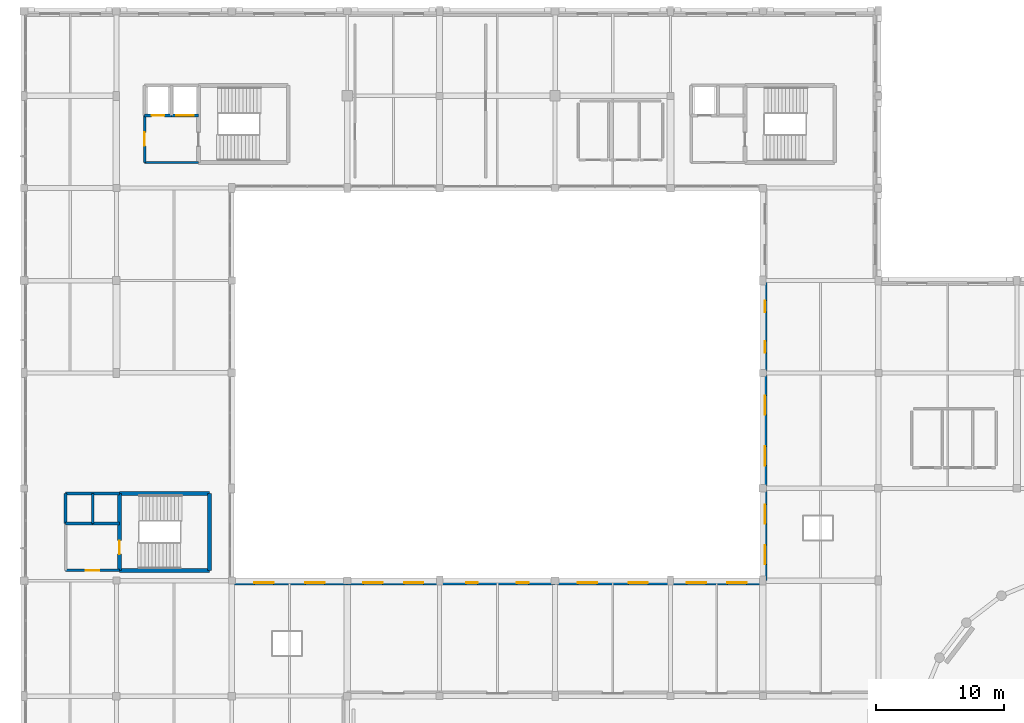
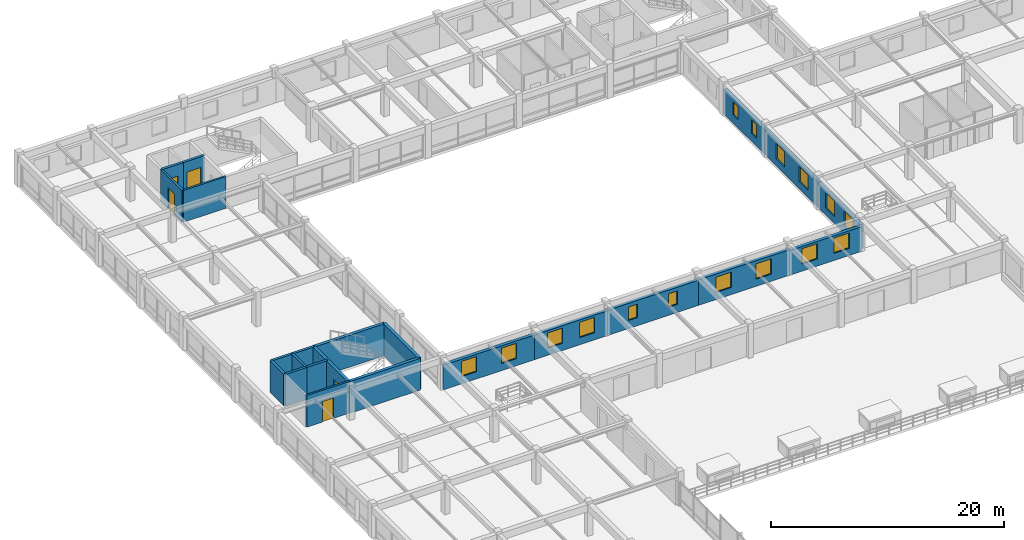
# One storey, part 53 of 74: 22 walls, 16 windows, 5 doors, 21 openings.
"""IFC4 building model written with IfcOpenShell, lengths in metres."""

from ifc_helpers import new_model, si_unit, direction, frame, frame_2d, origin, place, context, subcontext, project, spatial, rectangle, extrude, material, layer, layer_set, type_object, element, fill, save


model = new_model("IFC4")

# Units and contexts
model_context = context("Model", 3, precision=1e-05, world=origin(), true_north=direction((0.0, 1.0)))
body_context = subcontext(model_context, "Body", "Model", "MODEL_VIEW")
ifc_project = project(units=[si_unit("LENGTHUNIT", "METRE"), si_unit("AREAUNIT", "SQUARE_METRE"), si_unit("VOLUMEUNIT", "CUBIC_METRE"), si_unit("PLANEANGLEUNIT", "RADIAN"), si_unit("MASSUNIT", "GRAM", prefix="KILO")], contexts=[model_context])

# Site, building, storey
site_placement = place(None, origin())
site = spatial("IfcSite", under=ifc_project, at=site_placement, CompositionType="ELEMENT")
building_placement = place(site_placement, origin())
building = spatial("IfcBuilding", under=site, at=building_placement, Name="Clarverna Civic Hall", CompositionType="ELEMENT")
storey_placement = place(building_placement, frame((0.0, 0.0, 9.60009765625)))
storey = spatial("IfcBuildingStorey", under=building, at=storey_placement, Name="L02", CompositionType="ELEMENT", Elevation=9.60009765625)

# Wall, openings, windows
ifc_material_1 = material(Name="Precast concrete C40/50", Category="concrete")
ifc_layer_1 = layer(ifc_material_1, 0.320068359375)
ifc_layer_set_1 = layer_set([ifc_layer_1], Name="Precast concrete C40/50")
wall_type_1 = type_object("IfcWallType", Name="EW-04", PredefinedType="SOLIDWALL", material=ifc_layer_set_1)
wall_1_placement = place(storey_placement, frame((16.199951171875, 71.43994140625, 0.0), z_axis=(0.0, 0.0, 1.0), x_axis=(1.0, 0.0, 0.0)))
wall_1 = element("IfcWall", 1, at=wall_1_placement, inside=storey, type_object=wall_type_1, Name="EW-04-010", PredefinedType="SOLIDWALL", context=body_context, shape_type="SweptSolid", body=[
    extrude(rectangle(XDim=9.0, YDim=0.320068359375, at=frame_2d((4.5, 0.0))), origin(), (0.0, 0.0, 1.0), 2.58984375),
])
opening_1_placement = place(wall_1_placement, frame((1.77001953125, 0.0, 0.75)))
opening_1 = element("IfcOpeningElement", 2, at=opening_1_placement, cuts=wall_1, Name="Opening WN-14", PredefinedType="OPENING", context=body_context, shape_type="SweptSolid", body=[
    extrude(rectangle(XDim=1.5, YDim=1.60009765625, at=frame_2d((0.75, 0.800048828125))), frame((0.0, 0.169921875, 0.0), z_axis=(0.0, -1.0, 0.0), x_axis=(1.0, 0.0, 0.0)), (0.0, 0.0, 1.0), 0.340087890625),
])
opening_2_placement = place(wall_1_placement, frame((5.72998046875, 0.0, 0.75)))
opening_2 = element("IfcOpeningElement", 3, at=opening_2_placement, cuts=wall_1, Name="Opening WN-14", PredefinedType="OPENING", context=body_context, shape_type="SweptSolid", body=[
    extrude(rectangle(XDim=1.5, YDim=1.60009765625, at=frame_2d((0.75, 0.800048828125))), frame((0.0, 0.169921875, 0.0), z_axis=(0.0, -1.0, 0.0), x_axis=(1.0, 0.0, 0.0)), (0.0, 0.0, 1.0), 0.340087890625),
])
ifc_material_2 = material(Name="Solar-Control Argon Low-E Double Glazing", Category="glass")
window_type_1 = type_object("IfcWindowType", Name="WN-14", PartitioningType="DOUBLE_PANEL_HORIZONTAL", PredefinedType="WINDOW", material=ifc_material_2)
window_1_placement = place(opening_1_placement, origin())
window_1 = element("IfcWindow", 4, at=window_1_placement, inside=storey, type_object=window_type_1, Name="WN-14-095", OverallHeight=1.60009765625, OverallWidth=1.5, PartitioningType="DOUBLE_PANEL_HORIZONTAL", PredefinedType="WINDOW", context=body_context, shape_type="SweptSolid", body=[
    extrude(rectangle(XDim=1.5, YDim=1.60009765625, at=frame_2d((0.75, 0.800048828125))), frame((0.0, 0.030029296875, 0.0), z_axis=(0.0, -1.0, 0.0), x_axis=(1.0, 0.0, 0.0)), (0.0, 0.0, 1.0), 0.06005859375),
])
fill(opening_1, window_1)
window_2_placement = place(opening_2_placement, origin())
window_2 = element("IfcWindow", 5, at=window_2_placement, inside=storey, type_object=window_type_1, Name="WN-14-096", OverallHeight=1.60009765625, OverallWidth=1.5, PartitioningType="DOUBLE_PANEL_HORIZONTAL", PredefinedType="WINDOW", context=body_context, shape_type="SweptSolid", body=[
    extrude(rectangle(XDim=1.5, YDim=1.60009765625, at=frame_2d((0.75, 0.800048828125))), frame((0.0, 0.030029296875, 0.0), z_axis=(0.0, -1.0, 0.0), x_axis=(1.0, 0.0, 0.0)), (0.0, 0.0, 1.0), 0.06005859375),
])
fill(opening_2, window_2)

wall_2_placement = place(storey_placement, frame((25.199951171875, 71.43994140625, 0.0), z_axis=(0.0, 0.0, 1.0), x_axis=(1.0, 0.0, 0.0)))
wall_2 = element("IfcWall", 6, at=wall_2_placement, inside=storey, type_object=wall_type_1, Name="EW-04-011", PredefinedType="SOLIDWALL", context=body_context, shape_type="SweptSolid", body=[
    extrude(rectangle(XDim=7.199951171875, YDim=0.320068359375, at=frame_2d((3.60009765625, 0.0))), origin(), (0.0, 0.0, 1.0), 2.58984375),
])
opening_3_placement = place(wall_2_placement, frame((1.26611328125, 0.0, 0.75)))
opening_3 = element("IfcOpeningElement", 7, at=opening_3_placement, cuts=wall_2, Name="Opening WN-14", PredefinedType="OPENING", context=body_context, shape_type="SweptSolid", body=[
    extrude(rectangle(XDim=1.5, YDim=1.60009765625, at=frame_2d((0.75, 0.800048828125))), frame((0.0, 0.169921875, 0.0), z_axis=(0.0, -1.0, 0.0), x_axis=(1.0, 0.0, 0.0)), (0.0, 0.0, 1.0), 0.340087890625),
])
opening_4_placement = place(wall_2_placement, frame((4.43408203125, 0.0, 0.75)))
opening_4 = element("IfcOpeningElement", 8, at=opening_4_placement, cuts=wall_2, Name="Opening WN-14", PredefinedType="OPENING", context=body_context, shape_type="SweptSolid", body=[
    extrude(rectangle(XDim=1.5, YDim=1.60009765625, at=frame_2d((0.75, 0.800048828125))), frame((0.0, 0.169921875, 0.0), z_axis=(0.0, -1.0, 0.0), x_axis=(1.0, 0.0, 0.0)), (0.0, 0.0, 1.0), 0.340087890625),
])
window_3_placement = place(opening_3_placement, origin())
window_3 = element("IfcWindow", 9, at=window_3_placement, inside=storey, type_object=window_type_1, Name="WN-14-097", OverallHeight=1.60009765625, OverallWidth=1.5, PartitioningType="DOUBLE_PANEL_HORIZONTAL", PredefinedType="WINDOW", context=body_context, shape_type="SweptSolid", body=[
    extrude(rectangle(XDim=1.5, YDim=1.60009765625, at=frame_2d((0.75, 0.800048828125))), frame((0.0, 0.030029296875, 0.0), z_axis=(0.0, -1.0, 0.0), x_axis=(1.0, 0.0, 0.0)), (0.0, 0.0, 1.0), 0.06005859375),
])
fill(opening_3, window_3)
window_4_placement = place(opening_4_placement, origin())
window_4 = element("IfcWindow", 10, at=window_4_placement, inside=storey, type_object=window_type_1, Name="WN-14-098", OverallHeight=1.60009765625, OverallWidth=1.5, PartitioningType="DOUBLE_PANEL_HORIZONTAL", PredefinedType="WINDOW", context=body_context, shape_type="SweptSolid", body=[
    extrude(rectangle(XDim=1.5, YDim=1.60009765625, at=frame_2d((0.75, 0.800048828125))), frame((0.0, 0.030029296875, 0.0), z_axis=(0.0, -1.0, 0.0), x_axis=(1.0, 0.0, 0.0)), (0.0, 0.0, 1.0), 0.06005859375),
])
fill(opening_4, window_4)

wall_3_placement = place(storey_placement, frame((32.39990234375, 71.43994140625, 0.0), z_axis=(0.0, 0.0, 1.0), x_axis=(1.0, 0.0, 0.0)))
wall_3 = element("IfcWall", 11, at=wall_3_placement, inside=storey, type_object=wall_type_1, Name="EW-04-012", PredefinedType="SOLIDWALL", context=body_context, shape_type="SweptSolid", body=[
    extrude(rectangle(XDim=9.0, YDim=0.320068359375, at=frame_2d((4.5, 0.0))), origin(), (0.0, 0.0, 1.0), 2.639892578125),
])
opening_5_placement = place(wall_3_placement, frame((2.070068359375, 0.0, 0.85009765625)))
opening_5 = element("IfcOpeningElement", 12, at=opening_5_placement, cuts=wall_3, Name="Opening WN-16", PredefinedType="OPENING", context=body_context, shape_type="SweptSolid", body=[
    extrude(rectangle(XDim=0.89990234375, YDim=1.39990234375, at=frame_2d((0.449951171875, 0.699951171875))), frame((0.0, 0.169921875, 0.0), z_axis=(0.0, -1.0, 0.0), x_axis=(1.0, 0.0, 0.0)), (0.0, 0.0, 1.0), 0.340087890625),
])
opening_6_placement = place(wall_3_placement, frame((6.030029296875, 0.0, 0.85009765625)))
opening_6 = element("IfcOpeningElement", 13, at=opening_6_placement, cuts=wall_3, Name="Opening WN-16", PredefinedType="OPENING", context=body_context, shape_type="SweptSolid", body=[
    extrude(rectangle(XDim=0.89990234375, YDim=1.39990234375, at=frame_2d((0.449951171875, 0.699951171875))), frame((0.0, 0.169921875, 0.0), z_axis=(0.0, -1.0, 0.0), x_axis=(1.0, 0.0, 0.0)), (0.0, 0.0, 1.0), 0.340087890625),
])
window_type_2 = type_object("IfcWindowType", Name="WN-16", PartitioningType="SINGLE_PANEL", PredefinedType="WINDOW", material=ifc_material_2)
window_5_placement = place(opening_5_placement, origin())
window_5 = element("IfcWindow", 14, at=window_5_placement, inside=storey, type_object=window_type_2, Name="WN-16-001", OverallHeight=1.39990234375, OverallWidth=0.89990234375, PartitioningType="SINGLE_PANEL", PredefinedType="WINDOW", context=body_context, shape_type="SweptSolid", body=[
    extrude(rectangle(XDim=0.89990234375, YDim=1.39990234375, at=frame_2d((0.449951171875, 0.699951171875))), frame((0.0, 0.030029296875, 0.0), z_axis=(0.0, -1.0, 0.0), x_axis=(1.0, 0.0, 0.0)), (0.0, 0.0, 1.0), 0.06005859375),
])
fill(opening_5, window_5)
window_6_placement = place(opening_6_placement, origin())
window_6 = element("IfcWindow", 15, at=window_6_placement, inside=storey, type_object=window_type_2, Name="WN-16-002", OverallHeight=1.39990234375, OverallWidth=0.89990234375, PartitioningType="SINGLE_PANEL", PredefinedType="WINDOW", context=body_context, shape_type="SweptSolid", body=[
    extrude(rectangle(XDim=0.89990234375, YDim=1.39990234375, at=frame_2d((0.449951171875, 0.699951171875))), frame((0.0, 0.030029296875, 0.0), z_axis=(0.0, -1.0, 0.0), x_axis=(1.0, 0.0, 0.0)), (0.0, 0.0, 1.0), 0.06005859375),
])
fill(opening_6, window_6)

wall_4_placement = place(storey_placement, frame((41.39990234375, 71.43994140625, 0.0), z_axis=(0.0, 0.0, 1.0), x_axis=(1.0, 0.0, 0.0)))
wall_4 = element("IfcWall", 16, at=wall_4_placement, inside=storey, type_object=wall_type_1, Name="EW-04-013", PredefinedType="SOLIDWALL", context=body_context, shape_type="SweptSolid", body=[
    extrude(rectangle(XDim=9.0, YDim=0.320068359375, at=frame_2d((4.5, 0.0))), origin(), (0.0, 0.0, 1.0), 2.679931640625),
])
opening_7_placement = place(wall_4_placement, frame((1.77001953125, 0.0, 0.75)))
opening_7 = element("IfcOpeningElement", 17, at=opening_7_placement, cuts=wall_4, Name="Opening WN-14", PredefinedType="OPENING", context=body_context, shape_type="SweptSolid", body=[
    extrude(rectangle(XDim=1.5, YDim=1.60009765625, at=frame_2d((0.75, 0.800048828125))), frame((0.0, 0.169921875, 0.0), z_axis=(0.0, -1.0, 0.0), x_axis=(1.0, 0.0, 0.0)), (0.0, 0.0, 1.0), 0.340087890625),
])
opening_8_placement = place(wall_4_placement, frame((5.72998046875, 0.0, 0.75)))
opening_8 = element("IfcOpeningElement", 18, at=opening_8_placement, cuts=wall_4, Name="Opening WN-14", PredefinedType="OPENING", context=body_context, shape_type="SweptSolid", body=[
    extrude(rectangle(XDim=1.5, YDim=1.60009765625, at=frame_2d((0.75, 0.800048828125))), frame((0.0, 0.169921875, 0.0), z_axis=(0.0, -1.0, 0.0), x_axis=(1.0, 0.0, 0.0)), (0.0, 0.0, 1.0), 0.340087890625),
])
window_7_placement = place(opening_7_placement, origin())
window_7 = element("IfcWindow", 19, at=window_7_placement, inside=storey, type_object=window_type_1, Name="WN-14-099", OverallHeight=1.60009765625, OverallWidth=1.5, PartitioningType="DOUBLE_PANEL_HORIZONTAL", PredefinedType="WINDOW", context=body_context, shape_type="SweptSolid", body=[
    extrude(rectangle(XDim=1.5, YDim=1.60009765625, at=frame_2d((0.75, 0.800048828125))), frame((0.0, 0.030029296875, 0.0), z_axis=(0.0, -1.0, 0.0), x_axis=(1.0, 0.0, 0.0)), (0.0, 0.0, 1.0), 0.06005859375),
])
fill(opening_7, window_7)
window_8_placement = place(opening_8_placement, origin())
window_8 = element("IfcWindow", 20, at=window_8_placement, inside=storey, type_object=window_type_1, Name="WN-14-100", OverallHeight=1.60009765625, OverallWidth=1.5, PartitioningType="DOUBLE_PANEL_HORIZONTAL", PredefinedType="WINDOW", context=body_context, shape_type="SweptSolid", body=[
    extrude(rectangle(XDim=1.5, YDim=1.60009765625, at=frame_2d((0.75, 0.800048828125))), frame((0.0, 0.030029296875, 0.0), z_axis=(0.0, -1.0, 0.0), x_axis=(1.0, 0.0, 0.0)), (0.0, 0.0, 1.0), 0.06005859375),
])
fill(opening_8, window_8)

wall_5_placement = place(storey_placement, frame((50.39990234375, 71.43994140625, 0.0), z_axis=(0.0, 0.0, 1.0), x_axis=(1.0, 0.0, 0.0)))
wall_5 = element("IfcWall", 21, at=wall_5_placement, inside=storey, type_object=wall_type_1, Name="EW-04-014", PredefinedType="SOLIDWALL", context=body_context, shape_type="SweptSolid", body=[
    extrude(rectangle(XDim=7.2001953125, YDim=0.320068359375, at=frame_2d((3.60009765625, 0.0))), origin(), (0.0, 0.0, 1.0), 2.579833984375),
])
opening_9_placement = place(wall_5_placement, frame((1.26611328125, 0.0, 0.75)))
opening_9 = element("IfcOpeningElement", 22, at=opening_9_placement, cuts=wall_5, Name="Opening WN-14", PredefinedType="OPENING", context=body_context, shape_type="SweptSolid", body=[
    extrude(rectangle(XDim=1.5, YDim=1.60009765625, at=frame_2d((0.75, 0.800048828125))), frame((0.0, 0.169921875, 0.0), z_axis=(0.0, -1.0, 0.0), x_axis=(1.0, 0.0, 0.0)), (0.0, 0.0, 1.0), 0.340087890625),
])
opening_10_placement = place(wall_5_placement, frame((4.43408203125, 0.0, 0.75)))
opening_10 = element("IfcOpeningElement", 23, at=opening_10_placement, cuts=wall_5, Name="Opening WN-14", PredefinedType="OPENING", context=body_context, shape_type="SweptSolid", body=[
    extrude(rectangle(XDim=1.5, YDim=1.60009765625, at=frame_2d((0.75, 0.800048828125))), frame((0.0, 0.169921875, 0.0), z_axis=(0.0, -1.0, 0.0), x_axis=(1.0, 0.0, 0.0)), (0.0, 0.0, 1.0), 0.340087890625),
])
window_9_placement = place(opening_9_placement, origin())
window_9 = element("IfcWindow", 24, at=window_9_placement, inside=storey, type_object=window_type_1, Name="WN-14-101", OverallHeight=1.60009765625, OverallWidth=1.5, PartitioningType="DOUBLE_PANEL_HORIZONTAL", PredefinedType="WINDOW", context=body_context, shape_type="SweptSolid", body=[
    extrude(rectangle(XDim=1.5, YDim=1.60009765625, at=frame_2d((0.75, 0.800048828125))), frame((0.0, 0.030029296875, 0.0), z_axis=(0.0, -1.0, 0.0), x_axis=(1.0, 0.0, 0.0)), (0.0, 0.0, 1.0), 0.06005859375),
])
fill(opening_9, window_9)
window_10_placement = place(opening_10_placement, origin())
window_10 = element("IfcWindow", 25, at=window_10_placement, inside=storey, type_object=window_type_1, Name="WN-14-102", OverallHeight=1.60009765625, OverallWidth=1.5, PartitioningType="DOUBLE_PANEL_HORIZONTAL", PredefinedType="WINDOW", context=body_context, shape_type="SweptSolid", body=[
    extrude(rectangle(XDim=1.5, YDim=1.60009765625, at=frame_2d((0.75, 0.800048828125))), frame((0.0, 0.030029296875, 0.0), z_axis=(0.0, -1.0, 0.0), x_axis=(1.0, 0.0, 0.0)), (0.0, 0.0, 1.0), 0.06005859375),
])
fill(opening_10, window_10)

wall_6_placement = place(storey_placement, frame((57.760009765625, 71.60009765625, 0.0), z_axis=(0.0, 0.0, 1.0), x_axis=(0.0, 1.0, 0.0)))
wall_6 = element("IfcWall", 26, at=wall_6_placement, inside=storey, type_object=wall_type_1, Name="EW-04-015", PredefinedType="SOLIDWALL", context=body_context, shape_type="SweptSolid", body=[
    extrude(rectangle(XDim=7.199951171875, YDim=0.320068359375, at=frame_2d((3.60009765625, 0.0))), origin(), (0.0, 0.0, 1.0), 2.579833984375),
])
opening_11_placement = place(wall_6_placement, frame((1.26611328125, 0.0, 0.75)))
opening_11 = element("IfcOpeningElement", 27, at=opening_11_placement, cuts=wall_6, Name="Opening WN-14", PredefinedType="OPENING", context=body_context, shape_type="SweptSolid", body=[
    extrude(rectangle(XDim=1.5, YDim=1.60009765625, at=frame_2d((0.75, 0.800048828125))), frame((0.0, 0.169921875, 0.0), z_axis=(0.0, -1.0, 0.0), x_axis=(1.0, 0.0, 0.0)), (0.0, 0.0, 1.0), 0.340087890625),
])
opening_12_placement = place(wall_6_placement, frame((4.43408203125, 0.0, 0.75)))
opening_12 = element("IfcOpeningElement", 28, at=opening_12_placement, cuts=wall_6, Name="Opening WN-14", PredefinedType="OPENING", context=body_context, shape_type="SweptSolid", body=[
    extrude(rectangle(XDim=1.5, YDim=1.60009765625, at=frame_2d((0.75, 0.800048828125))), frame((0.0, 0.169921875, 0.0), z_axis=(0.0, -1.0, 0.0), x_axis=(1.0, 0.0, 0.0)), (0.0, 0.0, 1.0), 0.340087890625),
])
window_11_placement = place(opening_11_placement, origin())
window_11 = element("IfcWindow", 29, at=window_11_placement, inside=storey, type_object=window_type_1, Name="WN-14-103", OverallHeight=1.60009765625, OverallWidth=1.5, PartitioningType="DOUBLE_PANEL_HORIZONTAL", PredefinedType="WINDOW", context=body_context, shape_type="SweptSolid", body=[
    extrude(rectangle(XDim=1.5, YDim=1.60009765625, at=frame_2d((0.75, 0.800048828125))), frame((0.0, 0.030029296875, 0.0), z_axis=(0.0, -1.0, 0.0), x_axis=(1.0, 0.0, 0.0)), (0.0, 0.0, 1.0), 0.06005859375),
])
fill(opening_11, window_11)
window_12_placement = place(opening_12_placement, origin())
window_12 = element("IfcWindow", 30, at=window_12_placement, inside=storey, type_object=window_type_1, Name="WN-14-104", OverallHeight=1.60009765625, OverallWidth=1.5, PartitioningType="DOUBLE_PANEL_HORIZONTAL", PredefinedType="WINDOW", context=body_context, shape_type="SweptSolid", body=[
    extrude(rectangle(XDim=1.5, YDim=1.60009765625, at=frame_2d((0.75, 0.800048828125))), frame((0.0, 0.030029296875, 0.0), z_axis=(0.0, -1.0, 0.0), x_axis=(1.0, 0.0, 0.0)), (0.0, 0.0, 1.0), 0.06005859375),
])
fill(opening_12, window_12)

wall_7_placement = place(storey_placement, frame((57.760009765625, 78.800048828125, 0.0), z_axis=(0.0, 0.0, 1.0), x_axis=(0.0, 1.0, 0.0)))
wall_7 = element("IfcWall", 31, at=wall_7_placement, inside=storey, type_object=wall_type_1, Name="EW-04-016", PredefinedType="SOLIDWALL", context=body_context, shape_type="SweptSolid", body=[
    extrude(rectangle(XDim=9.0, YDim=0.320068359375, at=frame_2d((4.5, 0.0))), origin(), (0.0, 0.0, 1.0), 2.679931640625),
])
opening_13_placement = place(wall_7_placement, frame((1.77001953125, 0.0, 0.75)))
opening_13 = element("IfcOpeningElement", 32, at=opening_13_placement, cuts=wall_7, Name="Opening WN-14", PredefinedType="OPENING", context=body_context, shape_type="SweptSolid", body=[
    extrude(rectangle(XDim=1.5, YDim=1.60009765625, at=frame_2d((0.75, 0.800048828125))), frame((0.0, 0.169921875, 0.0), z_axis=(0.0, -1.0, 0.0), x_axis=(1.0, 0.0, 0.0)), (0.0, 0.0, 1.0), 0.340087890625),
])
opening_14_placement = place(wall_7_placement, frame((5.72998046875, 0.0, 0.75)))
opening_14 = element("IfcOpeningElement", 33, at=opening_14_placement, cuts=wall_7, Name="Opening WN-14", PredefinedType="OPENING", context=body_context, shape_type="SweptSolid", body=[
    extrude(rectangle(XDim=1.5, YDim=1.60009765625, at=frame_2d((0.75, 0.800048828125))), frame((0.0, 0.169921875, 0.0), z_axis=(0.0, -1.0, 0.0), x_axis=(1.0, 0.0, 0.0)), (0.0, 0.0, 1.0), 0.340087890625),
])
window_13_placement = place(opening_13_placement, origin())
window_13 = element("IfcWindow", 34, at=window_13_placement, inside=storey, type_object=window_type_1, Name="WN-14-105", OverallHeight=1.60009765625, OverallWidth=1.5, PartitioningType="DOUBLE_PANEL_HORIZONTAL", PredefinedType="WINDOW", context=body_context, shape_type="SweptSolid", body=[
    extrude(rectangle(XDim=1.5, YDim=1.60009765625, at=frame_2d((0.75, 0.800048828125))), frame((0.0, 0.030029296875, 0.0), z_axis=(0.0, -1.0, 0.0), x_axis=(1.0, 0.0, 0.0)), (0.0, 0.0, 1.0), 0.06005859375),
])
fill(opening_13, window_13)
window_14_placement = place(opening_14_placement, origin())
window_14 = element("IfcWindow", 35, at=window_14_placement, inside=storey, type_object=window_type_1, Name="WN-14-106", OverallHeight=1.60009765625, OverallWidth=1.5, PartitioningType="DOUBLE_PANEL_HORIZONTAL", PredefinedType="WINDOW", context=body_context, shape_type="SweptSolid", body=[
    extrude(rectangle(XDim=1.5, YDim=1.60009765625, at=frame_2d((0.75, 0.800048828125))), frame((0.0, 0.030029296875, 0.0), z_axis=(0.0, -1.0, 0.0), x_axis=(1.0, 0.0, 0.0)), (0.0, 0.0, 1.0), 0.06005859375),
])
fill(opening_14, window_14)

wall_8_placement = place(storey_placement, frame((57.760009765625, 87.800048828125, 0.0), z_axis=(0.0, 0.0, 1.0), x_axis=(0.0, 1.0, 0.0)))
wall_8 = element("IfcWall", 36, at=wall_8_placement, inside=storey, type_object=wall_type_1, Name="EW-04-017", PredefinedType="SOLIDWALL", context=body_context, shape_type="SweptSolid", body=[
    extrude(rectangle(XDim=7.199951171875, YDim=0.320068359375, at=frame_2d((3.60009765625, 0.0))), origin(), (0.0, 0.0, 1.0), 2.599853515625),
])
opening_15_placement = place(wall_8_placement, frame((1.56591796875, 0.0, 0.85009765625)))
opening_15 = element("IfcOpeningElement", 37, at=opening_15_placement, cuts=wall_8, Name="Opening WN-16", PredefinedType="OPENING", context=body_context, shape_type="SweptSolid", body=[
    extrude(rectangle(XDim=0.89990234375, YDim=1.39990234375, at=frame_2d((0.449951171875, 0.699951171875))), frame((0.0, 0.169921875, 0.0), z_axis=(0.0, -1.0, 0.0), x_axis=(1.0, 0.0, 0.0)), (0.0, 0.0, 1.0), 0.340087890625),
])
opening_16_placement = place(wall_8_placement, frame((4.73388671875, 0.0, 0.85009765625)))
opening_16 = element("IfcOpeningElement", 38, at=opening_16_placement, cuts=wall_8, Name="Opening WN-16", PredefinedType="OPENING", context=body_context, shape_type="SweptSolid", body=[
    extrude(rectangle(XDim=0.89990234375, YDim=1.39990234375, at=frame_2d((0.449951171875, 0.699951171875))), frame((0.0, 0.169921875, 0.0), z_axis=(0.0, -1.0, 0.0), x_axis=(1.0, 0.0, 0.0)), (0.0, 0.0, 1.0), 0.340087890625),
])
window_15_placement = place(opening_15_placement, origin())
window_15 = element("IfcWindow", 39, at=window_15_placement, inside=storey, type_object=window_type_2, Name="WN-16-003", OverallHeight=1.39990234375, OverallWidth=0.89990234375, PartitioningType="SINGLE_PANEL", PredefinedType="WINDOW", context=body_context, shape_type="SweptSolid", body=[
    extrude(rectangle(XDim=0.89990234375, YDim=1.39990234375, at=frame_2d((0.449951171875, 0.699951171875))), frame((0.0, 0.030029296875, 0.0), z_axis=(0.0, -1.0, 0.0), x_axis=(1.0, 0.0, 0.0)), (0.0, 0.0, 1.0), 0.06005859375),
])
fill(opening_15, window_15)
window_16_placement = place(opening_16_placement, origin())
window_16 = element("IfcWindow", 40, at=window_16_placement, inside=storey, type_object=window_type_2, Name="WN-16-004", OverallHeight=1.39990234375, OverallWidth=0.89990234375, PartitioningType="SINGLE_PANEL", PredefinedType="WINDOW", context=body_context, shape_type="SweptSolid", body=[
    extrude(rectangle(XDim=0.89990234375, YDim=1.39990234375, at=frame_2d((0.449951171875, 0.699951171875))), frame((0.0, 0.030029296875, 0.0), z_axis=(0.0, -1.0, 0.0), x_axis=(1.0, 0.0, 0.0)), (0.0, 0.0, 1.0), 0.06005859375),
])
fill(opening_16, window_16)

# Wall, opening, door
ifc_material_3 = material(Name="Acoustic Gypsum Plasterboard on Twin Frame", Category="gypsum")
ifc_layer_2 = layer(ifc_material_3, 0.18994140625)
ifc_layer_set_2 = layer_set([ifc_layer_2], Name="Acoustic Gypsum Plasterboard on Twin Frame")
wall_type_2 = type_object("IfcWallType", Name="PW-06", PredefinedType="PARTITIONING", material=ifc_layer_set_2)
wall_9_placement = place(storey_placement, frame((9.39990234375, 104.199951171875, 0.0), z_axis=(0.0, 0.0, 1.0), x_axis=(0.0, 1.0, 0.0)))
wall_9 = element("IfcWall", 41, at=wall_9_placement, inside=storey, type_object=wall_type_2, Name="PW-06-063", PredefinedType="PARTITIONING", context=body_context, shape_type="SweptSolid", body=[
    extrude(rectangle(XDim=3.650146484375, YDim=0.18994140625, at=frame_2d((1.8251953125, 0.0))), origin(), (0.0, 0.0, 1.0), 3.31982421875),
])
opening_17_placement = place(wall_9_placement, frame((1.300048828125, 0.0, 0.0)))
opening_17 = element("IfcOpeningElement", 42, at=opening_17_placement, cuts=wall_9, Name="Opening FD-02", PredefinedType="OPENING", context=body_context, shape_type="SweptSolid", body=[
    extrude(rectangle(XDim=1.050048828125, YDim=2.14990234375, at=frame_2d((0.52490234375, 1.074951171875))), frame((0.0, 0.10498046875, 0.0), z_axis=(0.0, -1.0, 0.0), x_axis=(1.0, 0.0, 0.0)), (0.0, 0.0, 1.0), 0.2099609375),
])
ifc_material_4 = material(Name="Acoustic Timber-Faced Fire Door", Category="wood")
door_type_1 = type_object("IfcDoorType", Name="FD-02", OperationType="NOTDEFINED", PredefinedType="DOOR", material=ifc_material_4)
door_1_placement = place(opening_17_placement, origin())
door_1 = element("IfcDoor", 43, at=door_1_placement, inside=storey, type_object=door_type_1, Name="FD-02-059", OperationType="SINGLE_SWING_RIGHT", OverallHeight=2.14990234375, OverallWidth=1.050048828125, PredefinedType="DOOR", context=body_context, shape_type="SweptSolid", body=[
    extrude(rectangle(XDim=1.050048828125, YDim=2.14990234375, at=frame_2d((0.52490234375, 1.074951171875))), frame((0.0, 0.02490234375, 0.0), z_axis=(0.0, -1.0, 0.0), x_axis=(1.0, 0.0, 0.0)), (0.0, 0.0, 1.0), 0.050048828125),
])
fill(opening_17, door_1)

# Wall
wall_10_placement = place(storey_placement, frame((9.39990234375, 104.199951171875, 0.0), z_axis=(0.0, 0.0, 1.0), x_axis=(1.0, 0.0, 0.0)))
element("IfcWall", 44, at=wall_10_placement, inside=storey, type_object=wall_type_2, Name="PW-06-064", PredefinedType="PARTITIONING", context=body_context, shape_type="SweptSolid", body=[
    extrude(rectangle(XDim=4.2001953125, YDim=0.18994140625, at=frame_2d((2.10009765625, 0.0))), origin(), (0.0, 0.0, 1.0), 3.31982421875),
])

# Wall, opening, door
wall_11_placement = place(storey_placement, frame((3.25, 72.39990234375, 0.0), z_axis=(0.0, 0.0, 1.0), x_axis=(1.0, 0.0, 0.0)))
wall_11 = element("IfcWall", 45, at=wall_11_placement, inside=storey, type_object=wall_type_2, Name="PW-06-122", PredefinedType="PARTITIONING", context=body_context, shape_type="SweptSolid", body=[
    extrude(rectangle(XDim=4.199951171875, YDim=0.18994140625, at=frame_2d((2.10009765625, 0.0))), origin(), (0.0, 0.0, 1.0), 3.31982421875),
])
opening_18_placement = place(wall_11_placement, frame((1.574951171875, 0.0, 0.0)))
opening_18 = element("IfcOpeningElement", 46, at=opening_18_placement, cuts=wall_11, Name="Opening FD-02", PredefinedType="OPENING", context=body_context, shape_type="SweptSolid", body=[
    extrude(rectangle(XDim=1.050048828125, YDim=2.14990234375, at=frame_2d((0.52490234375, 1.074951171875))), frame((0.0, 0.10498046875, 0.0), z_axis=(0.0, -1.0, 0.0), x_axis=(1.0, 0.0, 0.0)), (0.0, 0.0, 1.0), 0.2099609375),
])
door_2_placement = place(opening_18_placement, origin())
door_2 = element("IfcDoor", 47, at=door_2_placement, inside=storey, type_object=door_type_1, Name="FD-02-112", OperationType="SINGLE_SWING_RIGHT", OverallHeight=2.14990234375, OverallWidth=1.050048828125, PredefinedType="DOOR", context=body_context, shape_type="SweptSolid", body=[
    extrude(rectangle(XDim=1.050048828125, YDim=2.14990234375, at=frame_2d((0.52490234375, 1.074951171875))), frame((0.0, 0.02490234375, 0.0), z_axis=(0.0, -1.0, 0.0), x_axis=(1.0, 0.0, 0.0)), (0.0, 0.0, 1.0), 0.050048828125),
])
fill(opening_18, door_2)

ifc_material_5 = material(Name="Concrete C35/45", Category="concrete")
ifc_layer_3 = layer(ifc_material_5, 0.300048828125)
ifc_layer_set_3 = layer_set([ifc_layer_3], Name="Concrete C35/45")
wall_type_3 = type_object("IfcWallType", Name="SW-03", PredefinedType="SHEAR", material=ifc_layer_set_3)
wall_12_placement = place(storey_placement, frame((9.39990234375, 107.85009765625, 0.0), z_axis=(0.0, 0.0, 1.0), x_axis=(1.0, 0.0, 0.0)))
wall_12 = element("IfcWall", 48, at=wall_12_placement, inside=storey, type_object=wall_type_3, Name="SW-03-035", PredefinedType="SHEAR", context=body_context, shape_type="SweptSolid", body=[
    extrude(rectangle(XDim=2.10009765625, YDim=0.239990234375, at=frame_2d((1.050048828125, 0.0))), origin(), (0.0, 0.0, 1.0), 3.31982421875),
])
opening_19_placement = place(wall_12_placement, frame((0.550048828125, 0.0, 0.0)))
opening_19 = element("IfcOpeningElement", 49, at=opening_19_placement, cuts=wall_12, Name="Opening LD-01", PredefinedType="OPENING", context=body_context, shape_type="SweptSolid", body=[
    extrude(rectangle(XDim=1.0, YDim=2.10009765625, at=frame_2d((0.5, 1.050048828125))), frame((0.0, 0.1298828125, 0.0), z_axis=(0.0, -1.0, 0.0), x_axis=(1.0, 0.0, 0.0)), (0.0, 0.0, 1.0), 0.260009765625),
])
ifc_material_6 = material(Name="Brushed Bronze Stainless Lift Landing Door")
door_type_2 = type_object("IfcDoorType", Name="LD-01", OperationType="SLIDING_TO_LEFT", PredefinedType="DOOR", material=ifc_material_6)
door_3_placement = place(opening_19_placement, origin())
door_3 = element("IfcDoor", 50, at=door_3_placement, inside=storey, type_object=door_type_2, Name="LD-01-056", OperationType="SLIDING_TO_LEFT", OverallHeight=2.10009765625, OverallWidth=1.0, PredefinedType="DOOR", context=body_context, shape_type="SweptSolid", body=[
    extrude(rectangle(XDim=1.0, YDim=2.10009765625, at=frame_2d((0.5, 1.050048828125))), frame((0.0, 0.02490234375, 0.0), z_axis=(0.0, -1.0, 0.0), x_axis=(1.0, 0.0, 0.0)), (0.0, 0.0, 1.0), 0.050048828125),
])
fill(opening_19, door_3)

wall_13_placement = place(storey_placement, frame((11.5, 107.85009765625, 0.0), z_axis=(0.0, 0.0, 1.0), x_axis=(1.0, 0.0, 0.0)))
wall_13 = element("IfcWall", 51, at=wall_13_placement, inside=storey, type_object=wall_type_3, Name="SW-03-036", PredefinedType="SHEAR", context=body_context, shape_type="SweptSolid", body=[
    extrude(rectangle(XDim=2.10009765625, YDim=0.239990234375, at=frame_2d((1.050048828125, 0.0))), origin(), (0.0, 0.0, 1.0), 3.31982421875),
])
opening_20_placement = place(wall_13_placement, frame((0.375, 0.0, 0.0)))
opening_20 = element("IfcOpeningElement", 52, at=opening_20_placement, cuts=wall_13, Name="Opening LD-02", PredefinedType="OPENING", context=body_context, shape_type="SweptSolid", body=[
    extrude(rectangle(XDim=1.35009765625, YDim=2.199951171875, at=frame_2d((0.675048828125, 1.10009765625))), frame((0.0, 0.1298828125, 0.0), z_axis=(0.0, -1.0, 0.0), x_axis=(1.0, 0.0, 0.0)), (0.0, 0.0, 1.0), 0.260009765625),
])
door_type_3 = type_object("IfcDoorType", Name="LD-02", OperationType="SLIDING_TO_RIGHT", PredefinedType="DOOR", material=ifc_material_6)
door_4_placement = place(opening_20_placement, origin())
door_4 = element("IfcDoor", 53, at=door_4_placement, inside=storey, type_object=door_type_3, Name="LD-02-004", OperationType="SLIDING_TO_RIGHT", OverallHeight=2.199951171875, OverallWidth=1.35009765625, PredefinedType="DOOR", context=body_context, shape_type="SweptSolid", body=[
    extrude(rectangle(XDim=1.35009765625, YDim=2.199951171875, at=frame_2d((0.675048828125, 1.10009765625))), frame((0.0, 0.02490234375, 0.0), z_axis=(0.0, -1.0, 0.0), x_axis=(1.0, 0.0, 0.0)), (0.0, 0.0, 1.0), 0.050048828125),
])
fill(opening_20, door_4)

wall_14_placement = place(storey_placement, frame((7.449951171875, 72.39990234375, 0.0), z_axis=(0.0, 0.0, 1.0), x_axis=(0.0, 1.0, 0.0)))
wall_14 = element("IfcWall", 54, at=wall_14_placement, inside=storey, type_object=wall_type_3, Name="SW-03-289", PredefinedType="SHEAR", context=body_context, shape_type="SweptSolid", body=[
    extrude(rectangle(XDim=6.0, YDim=0.300048828125, at=frame_2d((3.0, 0.0))), origin(), (0.0, 0.0, 1.0), 3.31982421875),
])
opening_21_placement = place(wall_14_placement, frame((1.27490234375, 0.0, 0.0)))
opening_21 = element("IfcOpeningElement", 55, at=opening_21_placement, cuts=wall_14, Name="Opening FD-02", PredefinedType="OPENING", context=body_context, shape_type="SweptSolid", body=[
    extrude(rectangle(XDim=1.050048828125, YDim=2.14990234375, at=frame_2d((0.52490234375, 1.074951171875))), frame((0.0, 0.159912109375, 0.0), z_axis=(0.0, -1.0, 0.0), x_axis=(1.0, 0.0, 0.0)), (0.0, 0.0, 1.0), 0.320068359375),
])
door_5_placement = place(opening_21_placement, origin())
door_5 = element("IfcDoor", 56, at=door_5_placement, inside=storey, type_object=door_type_1, Name="FD-02-111", OperationType="SINGLE_SWING_LEFT", OverallHeight=2.14990234375, OverallWidth=1.050048828125, PredefinedType="DOOR", context=body_context, shape_type="SweptSolid", body=[
    extrude(rectangle(XDim=1.050048828125, YDim=2.14990234375, at=frame_2d((0.52490234375, 1.074951171875))), frame((0.0, 0.02490234375, 0.0), z_axis=(0.0, -1.0, 0.0), x_axis=(1.0, 0.0, 0.0)), (0.0, 0.0, 1.0), 0.050048828125),
])
fill(opening_21, door_5)

# Walls
wall_15_placement = place(storey_placement, frame((14.449951171875, 72.39990234375, 0.0), z_axis=(0.0, 0.0, 1.0), x_axis=(0.0, 1.0, 0.0)))
element("IfcWall", 57, at=wall_15_placement, inside=storey, type_object=wall_type_3, Name="SW-03-290", PredefinedType="SHEAR", context=body_context, shape_type="SweptSolid", body=[
    extrude(rectangle(XDim=6.0, YDim=0.300048828125, at=frame_2d((3.0, 0.0))), origin(), (0.0, 0.0, 1.0), 3.31982421875),
])
for number, where, z_axis, x_axis, name in (
    (58, (7.449951171875, 72.39990234375, 0.0), (0.0, 0.0, 1.0), (1.0, 0.0, 0.0), "SW-03-291"),
    (59, (7.449951171875, 78.39990234375, 0.0), (0.0, 0.0, 1.0), (1.0, 0.0, 0.0), "SW-03-292"),
):
    element("IfcWall", number, at=place(storey_placement, frame(where, z_axis=z_axis, x_axis=x_axis)), inside=storey, type_object=wall_type_3, Name=name, PredefinedType="SHEAR", context=body_context, shape_type="SweptSolid", body=[
        extrude(rectangle(XDim=7.0, YDim=0.300048828125, at=frame_2d((3.5, 0.0))), origin(), (0.0, 0.0, 1.0), 3.31982421875),
    ])
wall_16_placement = place(storey_placement, frame((3.25, 78.39990234375, 0.0), z_axis=(0.0, 0.0, 1.0), x_axis=(1.0, 0.0, 0.0)))
element("IfcWall", 60, at=wall_16_placement, inside=storey, type_object=wall_type_3, Name="SW-03-293", PredefinedType="SHEAR", context=body_context, shape_type="SweptSolid", body=[
    extrude(rectangle(XDim=4.199951171875, YDim=0.239990234375, at=frame_2d((2.10009765625, 0.0))), origin(), (0.0, 0.0, 1.0), 3.31982421875),
])
wall_17_placement = place(storey_placement, frame((3.25, 76.050048828125, 0.0), z_axis=(0.0, 0.0, 1.0), x_axis=(0.0, 1.0, 0.0)))
element("IfcWall", 61, at=wall_17_placement, inside=storey, type_object=wall_type_3, Name="SW-03-294", PredefinedType="SHEAR", context=body_context, shape_type="SweptSolid", body=[
    extrude(rectangle(XDim=2.349853515625, YDim=0.239990234375, at=frame_2d((1.1748046875, 0.0))), origin(), (0.0, 0.0, 1.0), 3.31982421875),
])
wall_18_placement = place(storey_placement, frame((5.35009765625, 76.050048828125, 0.0), z_axis=(0.0, 0.0, 1.0), x_axis=(0.0, 1.0, 0.0)))
element("IfcWall", 62, at=wall_18_placement, inside=storey, type_object=wall_type_3, Name="SW-03-295", PredefinedType="SHEAR", context=body_context, shape_type="SweptSolid", body=[
    extrude(rectangle(XDim=2.349853515625, YDim=0.199951171875, at=frame_2d((1.1748046875, 0.0))), origin(), (0.0, 0.0, 1.0), 3.31982421875),
])
wall_19_placement = place(storey_placement, frame((3.25, 76.050048828125, 0.0), z_axis=(0.0, 0.0, 1.0), x_axis=(1.0, 0.0, 0.0)))
element("IfcWall", 63, at=wall_19_placement, inside=storey, type_object=wall_type_3, Name="SW-03-296", PredefinedType="SHEAR", context=body_context, shape_type="SweptSolid", body=[
    extrude(rectangle(XDim=2.10009765625, YDim=0.239990234375, at=frame_2d((1.050048828125, 0.0))), origin(), (0.0, 0.0, 1.0), 3.31982421875),
])
wall_20_placement = place(storey_placement, frame((5.35009765625, 76.050048828125, 0.0), z_axis=(0.0, 0.0, 1.0), x_axis=(1.0, 0.0, 0.0)))
element("IfcWall", 64, at=wall_20_placement, inside=storey, type_object=wall_type_3, Name="SW-03-297", PredefinedType="SHEAR", context=body_context, shape_type="SweptSolid", body=[
    extrude(rectangle(XDim=2.099853515625, YDim=0.239990234375, at=frame_2d((1.0498046875, 0.0))), origin(), (0.0, 0.0, 1.0), 3.31982421875),
])

save(model, "model.ifc")
